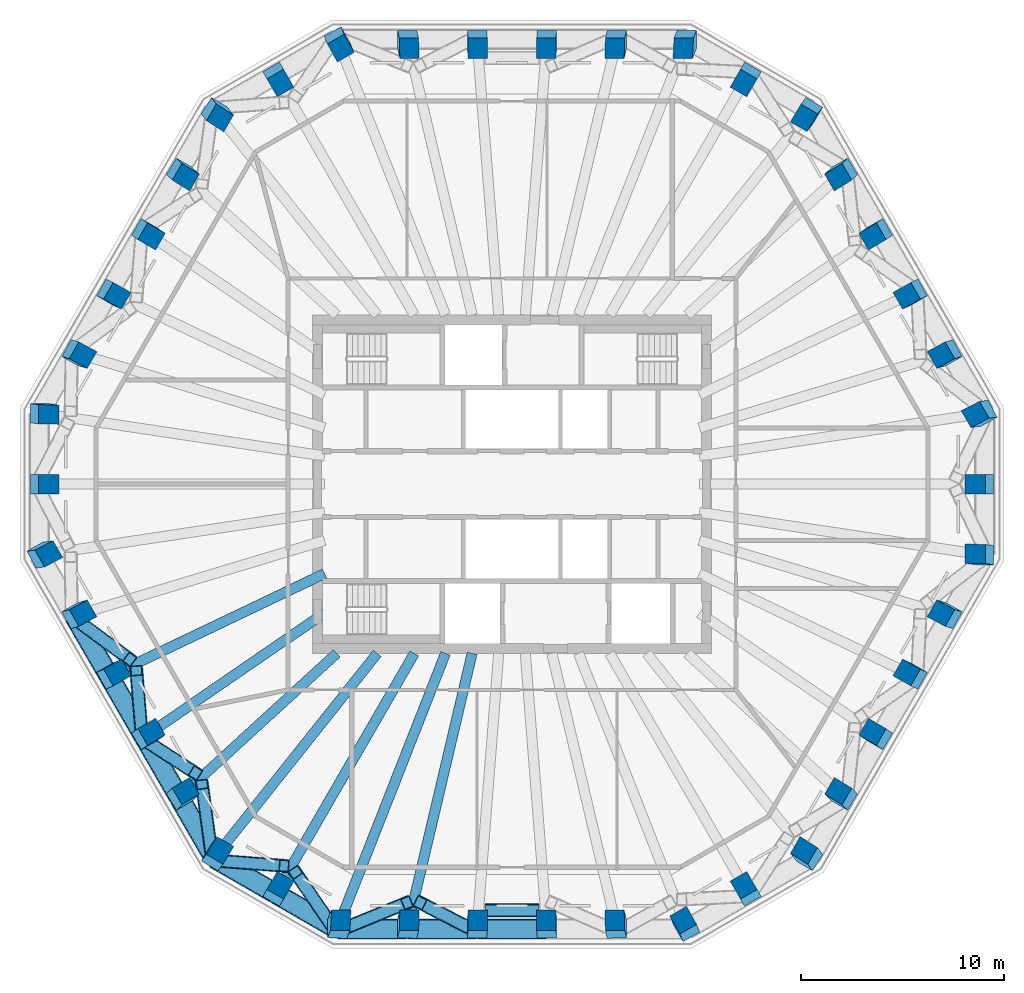
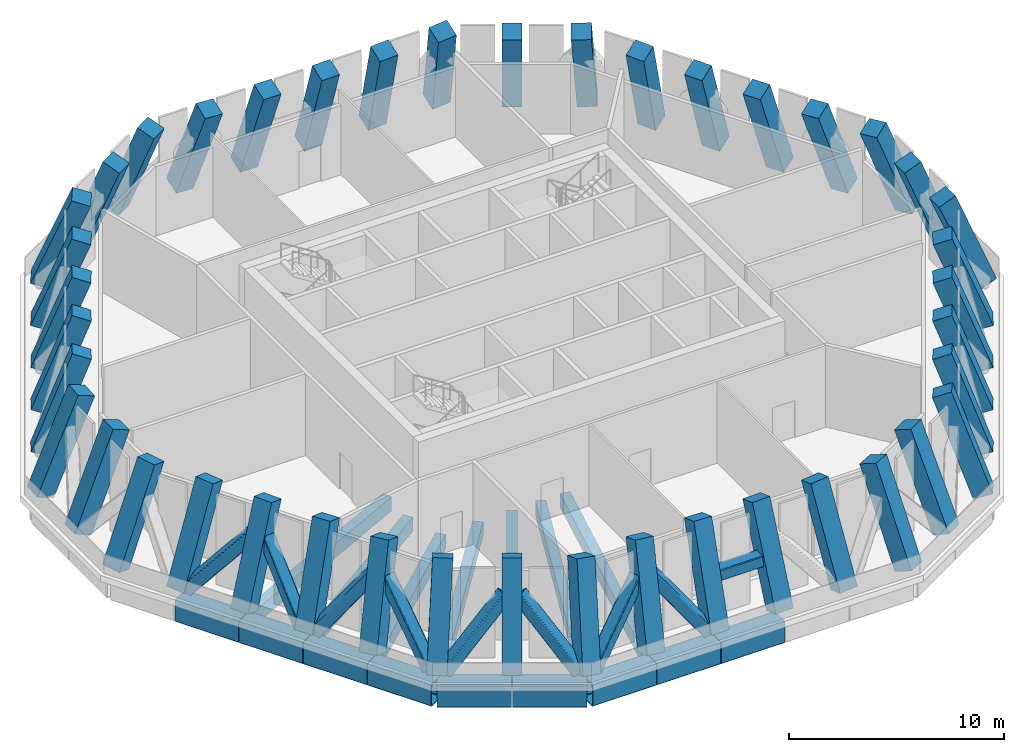
# One storey, part 1 of 9: 42 columns, 16 beams, 9 members.
"""IFC4 building model written with IfcOpenShell, lengths in metres."""

import ifcopenshell
import ifcopenshell.guid

model = None  # the IFC model being written
_history = None  # IfcOwnerHistory: only IFC2X3 demands one
_inside = {}  # id of a spatial element -> (the spatial element, [elements in it])
_under = {}  # id of a project, library or spatial element -> (it, [spatial elements below it])
_declared = {}  # id of a project -> (the project, [libraries it declares])
_typed = {}  # id of a type object -> (the type object, [elements of that type])
_made_of = {}  # id of a material, layer set ... -> (it, [elements and type objects made of it])


def new_model(schema):
    """Start an empty IFC model of exactly this schema.

    Asked for "IFC4X3", IfcOpenShell would pick the latest addendum, in which some entities
    have other attributes; the version numbers below select the first issue.
    IFC2X3 requires an IfcOwnerHistory on every rooted entity: one is made here for all.
    """
    global model, _history
    if schema == "IFC4X3":
        model = ifcopenshell.file(schema_version=(4, 3, 0, 0))
    else:
        model = ifcopenshell.file(schema=schema)
    _inside.clear()
    _under.clear()
    _declared.clear()
    _typed.clear()
    _made_of.clear()
    _history = None
    if model.schema == "IFC2X3":
        org = make("IfcOrganization", Name="unknown")
        user = make(
            "IfcPersonAndOrganization",
            ThePerson=make("IfcPerson", FamilyName="unknown"),
            TheOrganization=org,
        )
        app = make(
            "IfcApplication",
            ApplicationDeveloper=org,
            Version="unknown",
            ApplicationFullName="unknown",
            ApplicationIdentifier="unknown",
        )
        _history = make(
            "IfcOwnerHistory",
            OwningUser=user,
            OwningApplication=app,
            ChangeAction="ADDED",
            CreationDate=0,
        )
    return model


def make(cls, **values):
    """One entity of the class cls with the attributes given. An attribute that is None is left unset."""
    return model.create_entity(
        cls, **{name: value for name, value in values.items() if value is not None}
    )


def rooted(cls, **values):
    """An entity with a GlobalId (a new one), such as an element, a storey or a relation."""
    return make(cls, GlobalId=ifcopenshell.guid.new(), OwnerHistory=_history, **values)


def si_unit(unit_type, name, prefix=None):
    """IfcSIUnit, for example si_unit("LENGTHUNIT", "METRE", prefix="MILLI")."""
    return make("IfcSIUnit", UnitType=unit_type, Prefix=prefix, Name=name)


def assignment(units):
    """IfcUnitAssignment: the units of a project."""
    return None if units is None else make("IfcUnitAssignment", Units=units)


def point(xyz):
    """IfcCartesianPoint."""
    return None if xyz is None else make("IfcCartesianPoint", Coordinates=xyz)


def direction(xyz):
    """IfcDirection."""
    return None if xyz is None else make("IfcDirection", DirectionRatios=xyz)


def frame(location, z_axis=None, x_axis=None):
    """IfcAxis2Placement3D, a coordinate frame: its origin and axes. An axis left out is left unset."""
    return make(
        "IfcAxis2Placement3D",
        Location=point(location),
        Axis=direction(z_axis),
        RefDirection=direction(x_axis),
    )


def frame_2d(location, x_axis=None):
    """IfcAxis2Placement2D, a coordinate frame in the plane: its origin and x axis."""
    return make(
        "IfcAxis2Placement2D", Location=point(location), RefDirection=direction(x_axis)
    )


def origin():
    """The frame at (0, 0, 0) with its axes left unset."""
    return frame((0.0, 0.0, 0.0))


def origin_2d():
    """The frame at (0, 0) in the plane with its x axis left unset."""
    return frame_2d((0.0, 0.0))


def place(relative_to, where):
    """IfcLocalPlacement: puts the frame where relative to a parent placement (None: the world)."""
    return make(
        "IfcLocalPlacement", PlacementRelTo=relative_to, RelativePlacement=where
    )


def context(
    kind, dimensions, precision=None, world=None, true_north=None, identifier=None
):
    """IfcGeometricRepresentationContext, for example the 3D "Model" context."""
    return make(
        "IfcGeometricRepresentationContext",
        ContextIdentifier=identifier,
        ContextType=kind,
        CoordinateSpaceDimension=dimensions,
        Precision=precision,
        WorldCoordinateSystem=world,
        TrueNorth=true_north,
    )


def subcontext(parent, identifier, kind, view, scale=None):
    """IfcGeometricRepresentationSubContext, for example "Body" below "Model"."""
    return make(
        "IfcGeometricRepresentationSubContext",
        ContextIdentifier=identifier,
        ContextType=kind,
        ParentContext=parent,
        TargetScale=scale,
        TargetView=view,
    )


def project(units=None, contexts=None):
    """IfcProject with its units and contexts."""
    return rooted(
        "IfcProject",
        Name="project",
        RepresentationContexts=contexts,
        UnitsInContext=assignment(units),
    )


def spatial(cls, under=None, at=None, **own):
    """A site, building, storey or space (cls), placed at a placement, below another one or the project."""
    s = rooted(cls, ObjectPlacement=at, **own)
    if under is not None:
        _under.setdefault(under.id(), (under, []))[1].append(s)
    return s


def profile(cls, at=None, kind="AREA", **sizes):
    """A parametric profile (cls). Its sizes go by their IFC names, for example OverallWidth=200.0."""
    return make(cls, ProfileType=kind, Position=at, **sizes)


def rectangle(**sizes):
    """IfcRectangleProfileDef."""
    return profile("IfcRectangleProfileDef", **sizes)


def hollow_rectangle(**sizes):
    """IfcRectangleHollowProfileDef."""
    return profile("IfcRectangleHollowProfileDef", **sizes)


def extrude(swept, where, along, depth):
    """IfcExtrudedAreaSolid: the profile swept, set in the frame where, extruded along a direction by depth."""
    return make(
        "IfcExtrudedAreaSolid",
        SweptArea=swept,
        Position=where,
        ExtrudedDirection=direction(along),
        Depth=depth,
    )


def shape(context_of_items, identifier, shape_type, items):
    """IfcShapeRepresentation: the items that make up one representation, for example the "Body"."""
    return make(
        "IfcShapeRepresentation",
        ContextOfItems=context_of_items,
        RepresentationIdentifier=identifier,
        RepresentationType=shape_type,
        Items=items,
    )


def material(Name=None, Category=None):
    """IfcMaterial."""
    return make("IfcMaterial", Name=Name, Category=Category)


def material_profile(
    of_material, cross_section, Name=None, Category=None, Priority=None
):
    """IfcMaterialProfile: a cross section and its material."""
    return make(
        "IfcMaterialProfile",
        Name=Name,
        Material=of_material,
        Profile=cross_section,
        Priority=Priority,
        Category=Category,
    )


def profile_set(profiles, Name=None, composite=None):
    """IfcMaterialProfileSet."""
    return make(
        "IfcMaterialProfileSet",
        Name=Name,
        MaterialProfiles=profiles,
        CompositeProfile=composite,
    )


def made_of(thing, what):
    """Note that an element or type object is made of a material, layer set ...; save() writes the relation."""
    if what is not None:
        _made_of.setdefault(what.id(), (what, []))[1].append(thing)
    return thing


def type_object(cls, material=None, **own):
    """A type object (cls), such as IfcWallType, which elements share."""
    return made_of(rooted(cls, **own), material)


def element(
    cls,
    number,
    at=None,
    inside=None,
    cuts=None,
    type_object=None,
    material=None,
    context=None,
    identifier="Body",
    shape_type=None,
    held_by="IfcProductDefinitionShape",
    body=None,
    shapes=None,
    **own,
):
    """One element of the class cls, such as IfcWall. Its Tag is "e" and its number.

    at: its placement. inside: the storey or other place that contains it. cuts: it is an
    opening in that element (IfcRelVoidsElement). A single representation is given by context,
    identifier, shape_type and body (its items); several are given by shapes. held_by: the class
    of the entity that holds the representations. save() writes the other relations.
    """
    e = rooted(cls, Tag="e%d" % number, ObjectPlacement=at, **own)
    if body is not None:
        shapes = [shape(context, identifier, shape_type, body)]
    if shapes is not None:
        e.Representation = make(held_by, Representations=shapes)
    if inside is not None:
        _inside.setdefault(inside.id(), (inside, []))[1].append(e)
    if cuts is not None:
        rooted(
            "IfcRelVoidsElement", RelatingBuildingElement=cuts, RelatedOpeningElement=e
        )
    if type_object is not None:
        _typed.setdefault(type_object.id(), (type_object, []))[1].append(e)
    return made_of(e, material)


def aggregate(whole, parts):
    """IfcRelAggregates: a whole, such as a stair, and the parts it consists of."""
    return rooted("IfcRelAggregates", RelatingObject=whole, RelatedObjects=parts)


def save(model, path):
    """Write the relations noted so far, then the file.

    IfcRelAggregates (storeys below a building ...), IfcRelContainedInSpatialStructure (elements
    in a storey), IfcRelDefinesByType, IfcRelAssociatesMaterial and IfcRelDeclares: one each for
    every whole, place, type object, material and project.
    """
    for whole, parts in _under.values():
        aggregate(whole, parts)
    for where, things in _inside.values():
        rooted(
            "IfcRelContainedInSpatialStructure",
            RelatedElements=things,
            RelatingStructure=where,
        )
    for kind, things in _typed.values():
        rooted("IfcRelDefinesByType", RelatedObjects=things, RelatingType=kind)
    for what, things in _made_of.values():
        rooted("IfcRelAssociatesMaterial", RelatedObjects=things, RelatingMaterial=what)
    for by, libraries in _declared.values():
        rooted("IfcRelDeclares", RelatingContext=by, RelatedDefinitions=libraries)
    model.write(path)


model = new_model("IFC4")

# Units and contexts
model_context = context("Model", 3, precision=1e-05, world=origin(), true_north=direction((0.0, 1.0)))
body_context = subcontext(model_context, "Body", "Model", "MODEL_VIEW")
ifc_project = project(units=[si_unit("LENGTHUNIT", "METRE"), si_unit("AREAUNIT", "SQUARE_METRE"), si_unit("VOLUMEUNIT", "CUBIC_METRE"), si_unit("PLANEANGLEUNIT", "RADIAN"), si_unit("MASSUNIT", "GRAM", prefix="KILO")], contexts=[model_context])

# Site, building, storey
site_placement = place(None, origin())
site = spatial("IfcSite", under=ifc_project, at=site_placement, CompositionType="ELEMENT")
building_placement = place(site_placement, origin())
building = spatial("IfcBuilding", under=site, at=building_placement, Name="Frailejon Research Tower", CompositionType="ELEMENT")
storey_placement = place(building_placement, frame((0.0, 0.0, 303.0)))
storey = spatial("IfcBuildingStorey", under=building, at=storey_placement, Name="L67", CompositionType="ELEMENT", Elevation=303.0)

# Columns
ifc_material_1 = material(Name="Concrete C50/60", Category="concrete")
ifc_material_profile_1 = material_profile(ifc_material_1, rectangle(XDim=0.949951171875, YDim=0.949951171875, at=origin_2d()), Name="Column 950")
ifc_profile_set_1 = profile_set([ifc_material_profile_1], Name="Concrete C50/60")
column_type = type_object("IfcColumnType", Name="Column 950", PredefinedType="COLUMN", material=ifc_profile_set_1)
column_1_placement = place(storey_placement, frame((23.32373046875, -3.501953125, 0.0), z_axis=(-0.364651825772, 0.049128569612, 0.929846992579), x_axis=(0.017937707181, 0.99879246275, -0.045736801538)))
element("IfcColumn", 1, at=column_1_placement, inside=storey, type_object=column_type, Name="Column C01", PredefinedType="COLUMN", context=body_context, shape_type="SweptSolid", body=[
    extrude(rectangle(XDim=0.949951171875, YDim=0.949951171875, at=origin_2d()), origin(), (0.0, 0.0, 1.0), 5.63525390625),
])
column_2_placement = place(storey_placement, frame((23.32373046875, 0.0, 0.0), z_axis=(-0.365092688793, 0.0, 0.930971174951), x_axis=(0.0, 1.0, 0.0)))
element("IfcColumn", 2, at=column_2_placement, inside=storey, type_object=column_type, Name="Column C02", PredefinedType="COLUMN", context=body_context, shape_type="SweptSolid", body=[
    extrude(rectangle(XDim=0.949951171875, YDim=0.949951171875, at=origin_2d()), origin(), (0.0, 0.0, 1.0), 5.62841796875),
])
column_3_placement = place(storey_placement, frame((23.32373046875, 3.501953125, 0.0), z_axis=(-0.364651825772, -0.049128569612, 0.929846992579), x_axis=(-0.453478926953, 0.881548293683, -0.131261070825)))
element("IfcColumn", 3, at=column_3_placement, inside=storey, type_object=column_type, Name="Column C03", PredefinedType="COLUMN", context=body_context, shape_type="SweptSolid", body=[
    extrude(rectangle(XDim=0.949951171875, YDim=0.949951171875, at=origin_2d()), origin(), (0.0, 0.0, 1.0), 5.63525390625),
])
column_4_placement = place(storey_placement, frame((21.597900390625, 6.4912109375, 0.0), z_axis=(-0.338831549302, -0.098179187986, 0.935710440384), x_axis=(-0.47309306767, 0.877441072232, -0.079247170818)))
element("IfcColumn", 4, at=column_4_placement, inside=storey, type_object=column_type, Name="Column C04", PredefinedType="COLUMN", context=body_context, shape_type="SweptSolid", body=[
    extrude(rectangle(XDim=0.949951171875, YDim=0.949951171875, at=origin_2d()), origin(), (0.0, 0.0, 1.0), 5.60009765625),
])
for number, where, z_axis, x_axis, name in (
    (5, (19.872314453125, 9.48046875, 0.0), (-0.311737642499, -0.14738437924, 0.938667932234), (-0.491391865687, 0.87053510463, -0.026507846807), "Column C05"),
    (6, (18.146240234375, 12.469482421875, 0.0), (-0.283449385638, -0.196240918586, 0.938693745401), (-0.508203467752, 0.860829093725, 0.026504844106), "Column C06"),
):
    element("IfcColumn", number, at=place(storey_placement, frame(where, z_axis=z_axis, x_axis=x_axis)), inside=storey, type_object=column_type, Name=name, PredefinedType="COLUMN", context=body_context, shape_type="SweptSolid", body=[
        extrude(rectangle(XDim=0.949951171875, YDim=0.949951171875, at=origin_2d()), origin(), (0.0, 0.0, 1.0), 5.582275390625),
    ])
column_5_placement = place(storey_placement, frame((16.42041015625, 15.458740234375, 0.0), z_axis=(-0.254428974167, -0.244358190577, 0.935710944577), x_axis=(-0.523376757591, 0.848408223066, 0.079248070307)))
element("IfcColumn", 7, at=column_5_placement, inside=storey, type_object=column_type, Name="Column C07", PredefinedType="COLUMN", context=body_context, shape_type="SweptSolid", body=[
    extrude(rectangle(XDim=0.949951171875, YDim=0.949951171875, at=origin_2d()), origin(), (0.0, 0.0, 1.0), 5.60009765625),
])
column_6_placement = place(storey_placement, frame((14.694580078125, 18.447998046875, 0.0), z_axis=(-0.224847056672, -0.291261418499, 0.929844388702), x_axis=(-0.856061063442, 0.514847202965, -0.045736345046)))
element("IfcColumn", 8, at=column_6_placement, inside=storey, type_object=column_type, Name="Column C08", PredefinedType="COLUMN", context=body_context, shape_type="SweptSolid", body=[
    extrude(rectangle(XDim=0.949951171875, YDim=0.949951171875, at=origin_2d()), origin(), (0.0, 0.0, 1.0), 5.63525390625),
])
column_7_placement = place(storey_placement, frame((11.661865234375, 20.198974609375, 0.0), z_axis=(-0.182523716503, -0.316206723694, 0.930966380061), x_axis=(-0.866067598993, 0.499926908626, 2.548913e-06)))
element("IfcColumn", 9, at=column_7_placement, inside=storey, type_object=column_type, Name="Column C09", PredefinedType="COLUMN", context=body_context, shape_type="SweptSolid", body=[
    extrude(rectangle(XDim=0.949951171875, YDim=0.949951171875, at=origin_2d()), origin(), (0.0, 0.0, 1.0), 5.628662109375),
])
column_8_placement = place(storey_placement, frame((8.629150390625, 21.949951171875, 0.0), z_axis=(-0.139802285246, -0.340386289179, 0.92983466013), x_axis=(-0.990179438478, 0.048083023475, -0.131273388274)))
element("IfcColumn", 10, at=column_8_placement, inside=storey, type_object=column_type, Name="Column C10", PredefinedType="COLUMN", context=body_context, shape_type="SweptSolid", body=[
    extrude(rectangle(XDim=0.949951171875, YDim=0.949951171875, at=origin_2d()), origin(), (0.0, 0.0, 1.0), 5.635498046875),
])
column_9_placement = place(storey_placement, frame((5.177490234375, 21.949951171875, 0.0), z_axis=(-0.084402306611, -0.342535600743, 0.935705943586), x_axis=(-0.996431758684, 0.02898565291, -0.079269049522)))
element("IfcColumn", 11, at=column_9_placement, inside=storey, type_object=column_type, Name="Column C11", PredefinedType="COLUMN", context=body_context, shape_type="SweptSolid", body=[
    extrude(rectangle(XDim=0.949951171875, YDim=0.949951171875, at=origin_2d()), origin(), (0.0, 0.0, 1.0), 5.60009765625),
])
for number, where, z_axis, x_axis, name in (
    (12, (1.725830078125, 21.949951171875, 0.0), (-0.028252736523, -0.343625001329, 0.938681863754), (-0.99960080941, 0.009776667146, -0.02650733118), "Column C12"),
    (13, (-1.725830078125, 21.949951171875, 0.0), (0.028252736523, -0.343625001329, 0.938681863754), (-0.99960080941, -0.009776667146, 0.02650733118), "Column C13"),
):
    element("IfcColumn", number, at=place(storey_placement, frame(where, z_axis=z_axis, x_axis=x_axis)), inside=storey, type_object=column_type, Name=name, PredefinedType="COLUMN", context=body_context, shape_type="SweptSolid", body=[
        extrude(rectangle(XDim=0.949951171875, YDim=0.949951171875, at=origin_2d()), origin(), (0.0, 0.0, 1.0), 5.582275390625),
    ])
column_10_placement = place(storey_placement, frame((-5.177490234375, 21.949951171875, 0.0), z_axis=(0.084402306611, -0.342535600743, 0.935705943586), x_axis=(-0.996431758684, -0.02898565291, 0.079269049522)))
element("IfcColumn", 14, at=column_10_placement, inside=storey, type_object=column_type, Name="Column C14", PredefinedType="COLUMN", context=body_context, shape_type="SweptSolid", body=[
    extrude(rectangle(XDim=0.949951171875, YDim=0.949951171875, at=origin_2d()), origin(), (0.0, 0.0, 1.0), 5.60009765625),
])
column_11_placement = place(storey_placement, frame((-8.629150390625, 21.949951171875, 0.0), z_axis=(0.139802285246, -0.340386289179, 0.92983466013), x_axis=(-0.873934895337, -0.483886046426, -0.045739400807)))
element("IfcColumn", 15, at=column_11_placement, inside=storey, type_object=column_type, Name="Column C15", PredefinedType="COLUMN", context=body_context, shape_type="SweptSolid", body=[
    extrude(rectangle(XDim=0.949951171875, YDim=0.949951171875, at=origin_2d()), origin(), (0.0, 0.0, 1.0), 5.635498046875),
])
column_12_placement = place(storey_placement, frame((-11.661865234375, 20.198974609375, 0.0), z_axis=(0.182523716503, -0.316206723694, 0.930966380061), x_axis=(-0.866067598993, -0.499926908626, -2.548913e-06)))
element("IfcColumn", 16, at=column_12_placement, inside=storey, type_object=column_type, Name="Column C16", PredefinedType="COLUMN", context=body_context, shape_type="SweptSolid", body=[
    extrude(rectangle(XDim=0.949951171875, YDim=0.949951171875, at=origin_2d()), origin(), (0.0, 0.0, 1.0), 5.628662109375),
])
column_13_placement = place(storey_placement, frame((-14.694580078125, 18.447998046875, 0.0), z_axis=(0.224847056672, -0.291261418499, 0.929844388702), x_axis=(-0.536787227973, -0.833444196938, -0.13126401821)))
element("IfcColumn", 17, at=column_13_placement, inside=storey, type_object=column_type, Name="Column C17", PredefinedType="COLUMN", context=body_context, shape_type="SweptSolid", body=[
    extrude(rectangle(XDim=0.949951171875, YDim=0.949951171875, at=origin_2d()), origin(), (0.0, 0.0, 1.0), 5.63525390625),
])
column_14_placement = place(storey_placement, frame((-16.42041015625, 15.458740234375, 0.0), z_axis=(0.254428974167, -0.244358190577, 0.935710944577), x_axis=(-0.523376757591, -0.848408223066, -0.079248070307)))
element("IfcColumn", 18, at=column_14_placement, inside=storey, type_object=column_type, Name="Column C18", PredefinedType="COLUMN", context=body_context, shape_type="SweptSolid", body=[
    extrude(rectangle(XDim=0.949951171875, YDim=0.949951171875, at=origin_2d()), origin(), (0.0, 0.0, 1.0), 5.60009765625),
])
for number, where, z_axis, x_axis, name in (
    (19, (-18.146240234375, 12.469482421875, 0.0), (0.283449385638, -0.196240918586, 0.938693745401), (-0.508203467752, -0.860829093725, -0.026504844106), "Column C19"),
    (20, (-19.872314453125, 9.48046875, 0.0), (0.311737642499, -0.14738437924, 0.938667932234), (-0.491391865687, -0.87053510463, 0.026507846807), "Column C20"),
):
    element("IfcColumn", number, at=place(storey_placement, frame(where, z_axis=z_axis, x_axis=x_axis)), inside=storey, type_object=column_type, Name=name, PredefinedType="COLUMN", context=body_context, shape_type="SweptSolid", body=[
        extrude(rectangle(XDim=0.949951171875, YDim=0.949951171875, at=origin_2d()), origin(), (0.0, 0.0, 1.0), 5.582275390625),
    ])
column_15_placement = place(storey_placement, frame((-21.597900390625, 6.4912109375, 0.0), z_axis=(0.338831549302, -0.098179187986, 0.935710440384), x_axis=(-0.47309306767, -0.877441072232, 0.079247170818)))
element("IfcColumn", 21, at=column_15_placement, inside=storey, type_object=column_type, Name="Column C21", PredefinedType="COLUMN", context=body_context, shape_type="SweptSolid", body=[
    extrude(rectangle(XDim=0.949951171875, YDim=0.949951171875, at=origin_2d()), origin(), (0.0, 0.0, 1.0), 5.60009765625),
])
column_16_placement = place(storey_placement, frame((-23.32373046875, 3.501953125, 0.0), z_axis=(0.364651825772, -0.049128569612, 0.929846992579), x_axis=(-0.017937707181, -0.99879246275, -0.045736801538)))
element("IfcColumn", 22, at=column_16_placement, inside=storey, type_object=column_type, Name="Column C22", PredefinedType="COLUMN", context=body_context, shape_type="SweptSolid", body=[
    extrude(rectangle(XDim=0.949951171875, YDim=0.949951171875, at=origin_2d()), origin(), (0.0, 0.0, 1.0), 5.63525390625),
])
column_17_placement = place(storey_placement, frame((-23.32373046875, 0.0, 0.0), z_axis=(0.365092688793, 0.0, 0.930971174951), x_axis=(0.0, -1.0, 0.0)))
element("IfcColumn", 23, at=column_17_placement, inside=storey, type_object=column_type, Name="Column C23", PredefinedType="COLUMN", context=body_context, shape_type="SweptSolid", body=[
    extrude(rectangle(XDim=0.949951171875, YDim=0.949951171875, at=origin_2d()), origin(), (0.0, 0.0, 1.0), 5.62841796875),
])
column_18_placement = place(storey_placement, frame((-23.32373046875, -3.501953125, 0.0), z_axis=(0.364651825772, 0.049128569612, 0.929846992579), x_axis=(0.453478926953, -0.881548293683, -0.131261070825)))
element("IfcColumn", 24, at=column_18_placement, inside=storey, type_object=column_type, Name="Column C24", PredefinedType="COLUMN", context=body_context, shape_type="SweptSolid", body=[
    extrude(rectangle(XDim=0.949951171875, YDim=0.949951171875, at=origin_2d()), origin(), (0.0, 0.0, 1.0), 5.63525390625),
])
column_19_placement = place(storey_placement, frame((-21.597900390625, -6.4912109375, 0.0), z_axis=(0.338831549302, 0.098179187986, 0.935710440384), x_axis=(0.47309306767, -0.877441072232, -0.079247170818)))
element("IfcColumn", 25, at=column_19_placement, inside=storey, type_object=column_type, Name="Column C25", PredefinedType="COLUMN", context=body_context, shape_type="SweptSolid", body=[
    extrude(rectangle(XDim=0.949951171875, YDim=0.949951171875, at=origin_2d()), origin(), (0.0, 0.0, 1.0), 5.60009765625),
])
for number, where, z_axis, x_axis, name in (
    (26, (-19.872314453125, -9.48046875, 0.0), (0.311737642499, 0.14738437924, 0.938667932234), (0.491391865687, -0.87053510463, -0.026507846807), "Column C26"),
    (27, (-18.146240234375, -12.469482421875, 0.0), (0.283449385638, 0.196240918586, 0.938693745401), (0.508203467752, -0.860829093725, 0.026504844106), "Column C27"),
):
    element("IfcColumn", number, at=place(storey_placement, frame(where, z_axis=z_axis, x_axis=x_axis)), inside=storey, type_object=column_type, Name=name, PredefinedType="COLUMN", context=body_context, shape_type="SweptSolid", body=[
        extrude(rectangle(XDim=0.949951171875, YDim=0.949951171875, at=origin_2d()), origin(), (0.0, 0.0, 1.0), 5.582275390625),
    ])
column_20_placement = place(storey_placement, frame((-16.42041015625, -15.458740234375, 0.0), z_axis=(0.254428974167, 0.244358190577, 0.935710944577), x_axis=(0.523376757591, -0.848408223066, 0.079248070307)))
element("IfcColumn", 28, at=column_20_placement, inside=storey, type_object=column_type, Name="Column C28", PredefinedType="COLUMN", context=body_context, shape_type="SweptSolid", body=[
    extrude(rectangle(XDim=0.949951171875, YDim=0.949951171875, at=origin_2d()), origin(), (0.0, 0.0, 1.0), 5.60009765625),
])
column_21_placement = place(storey_placement, frame((-14.694580078125, -18.447998046875, 0.0), z_axis=(0.224847056672, 0.291261418499, 0.929844388702), x_axis=(0.856061063442, -0.514847202965, -0.045736345046)))
element("IfcColumn", 29, at=column_21_placement, inside=storey, type_object=column_type, Name="Column C29", PredefinedType="COLUMN", context=body_context, shape_type="SweptSolid", body=[
    extrude(rectangle(XDim=0.949951171875, YDim=0.949951171875, at=origin_2d()), origin(), (0.0, 0.0, 1.0), 5.63525390625),
])
column_22_placement = place(storey_placement, frame((-11.661865234375, -20.198974609375, 0.0), z_axis=(0.182523716503, 0.316206723694, 0.930966380061), x_axis=(0.866067598993, -0.499926908626, 2.548913e-06)))
element("IfcColumn", 30, at=column_22_placement, inside=storey, type_object=column_type, Name="Column C30", PredefinedType="COLUMN", context=body_context, shape_type="SweptSolid", body=[
    extrude(rectangle(XDim=0.949951171875, YDim=0.949951171875, at=origin_2d()), origin(), (0.0, 0.0, 1.0), 5.628662109375),
])
column_23_placement = place(storey_placement, frame((-8.629150390625, -21.949951171875, 0.0), z_axis=(0.139802285246, 0.340386289179, 0.92983466013), x_axis=(0.990179438478, -0.048083023475, -0.131273388274)))
element("IfcColumn", 31, at=column_23_placement, inside=storey, type_object=column_type, Name="Column C31", PredefinedType="COLUMN", context=body_context, shape_type="SweptSolid", body=[
    extrude(rectangle(XDim=0.949951171875, YDim=0.949951171875, at=origin_2d()), origin(), (0.0, 0.0, 1.0), 5.635498046875),
])
column_24_placement = place(storey_placement, frame((-5.177490234375, -21.949951171875, 0.0), z_axis=(0.084402306611, 0.342535600743, 0.935705943586), x_axis=(0.996431758684, -0.02898565291, -0.079269049522)))
element("IfcColumn", 32, at=column_24_placement, inside=storey, type_object=column_type, Name="Column C32", PredefinedType="COLUMN", context=body_context, shape_type="SweptSolid", body=[
    extrude(rectangle(XDim=0.949951171875, YDim=0.949951171875, at=origin_2d()), origin(), (0.0, 0.0, 1.0), 5.60009765625),
])
for number, where, z_axis, x_axis, name in (
    (33, (-1.725830078125, -21.949951171875, 0.0), (0.028252736523, 0.343625001329, 0.938681863754), (0.99960080941, -0.009776667146, -0.02650733118), "Column C33"),
    (34, (1.725830078125, -21.949951171875, 0.0), (-0.028252736523, 0.343625001329, 0.938681863754), (0.99960080941, 0.009776667146, 0.02650733118), "Column C34"),
):
    element("IfcColumn", number, at=place(storey_placement, frame(where, z_axis=z_axis, x_axis=x_axis)), inside=storey, type_object=column_type, Name=name, PredefinedType="COLUMN", context=body_context, shape_type="SweptSolid", body=[
        extrude(rectangle(XDim=0.949951171875, YDim=0.949951171875, at=origin_2d()), origin(), (0.0, 0.0, 1.0), 5.582275390625),
    ])
column_25_placement = place(storey_placement, frame((5.177490234375, -21.949951171875, 0.0), z_axis=(-0.084402306611, 0.342535600743, 0.935705943586), x_axis=(0.996431758684, 0.02898565291, 0.079269049522)))
element("IfcColumn", 35, at=column_25_placement, inside=storey, type_object=column_type, Name="Column C35", PredefinedType="COLUMN", context=body_context, shape_type="SweptSolid", body=[
    extrude(rectangle(XDim=0.949951171875, YDim=0.949951171875, at=origin_2d()), origin(), (0.0, 0.0, 1.0), 5.60009765625),
])
column_26_placement = place(storey_placement, frame((8.629150390625, -21.949951171875, 0.0), z_axis=(-0.139802285246, 0.340386289179, 0.92983466013), x_axis=(0.873934895337, 0.483886046426, -0.045739400807)))
element("IfcColumn", 36, at=column_26_placement, inside=storey, type_object=column_type, Name="Column C36", PredefinedType="COLUMN", context=body_context, shape_type="SweptSolid", body=[
    extrude(rectangle(XDim=0.949951171875, YDim=0.949951171875, at=origin_2d()), origin(), (0.0, 0.0, 1.0), 5.635498046875),
])
column_27_placement = place(storey_placement, frame((11.661865234375, -20.198974609375, 0.0), z_axis=(-0.182523716503, 0.316206723694, 0.930966380061), x_axis=(0.866067598993, 0.499926908626, -2.548913e-06)))
element("IfcColumn", 37, at=column_27_placement, inside=storey, type_object=column_type, Name="Column C37", PredefinedType="COLUMN", context=body_context, shape_type="SweptSolid", body=[
    extrude(rectangle(XDim=0.949951171875, YDim=0.949951171875, at=origin_2d()), origin(), (0.0, 0.0, 1.0), 5.628662109375),
])
column_28_placement = place(storey_placement, frame((14.694580078125, -18.447998046875, 0.0), z_axis=(-0.224847056672, 0.291261418499, 0.929844388702), x_axis=(0.536787227973, 0.833444196938, -0.13126401821)))
element("IfcColumn", 38, at=column_28_placement, inside=storey, type_object=column_type, Name="Column C38", PredefinedType="COLUMN", context=body_context, shape_type="SweptSolid", body=[
    extrude(rectangle(XDim=0.949951171875, YDim=0.949951171875, at=origin_2d()), origin(), (0.0, 0.0, 1.0), 5.63525390625),
])
column_29_placement = place(storey_placement, frame((16.42041015625, -15.458740234375, 0.0), z_axis=(-0.254428974167, 0.244358190577, 0.935710944577), x_axis=(0.523376757591, 0.848408223066, -0.079248070307)))
element("IfcColumn", 39, at=column_29_placement, inside=storey, type_object=column_type, Name="Column C39", PredefinedType="COLUMN", context=body_context, shape_type="SweptSolid", body=[
    extrude(rectangle(XDim=0.949951171875, YDim=0.949951171875, at=origin_2d()), origin(), (0.0, 0.0, 1.0), 5.60009765625),
])
for number, where, z_axis, x_axis, name in (
    (40, (18.146240234375, -12.469482421875, 0.0), (-0.283449385638, 0.196240918586, 0.938693745401), (0.508203467752, 0.860829093725, -0.026504844106), "Column C40"),
    (41, (19.872314453125, -9.48046875, 0.0), (-0.311737642499, 0.14738437924, 0.938667932234), (0.491391865687, 0.87053510463, 0.026507846807), "Column C41"),
):
    element("IfcColumn", number, at=place(storey_placement, frame(where, z_axis=z_axis, x_axis=x_axis)), inside=storey, type_object=column_type, Name=name, PredefinedType="COLUMN", context=body_context, shape_type="SweptSolid", body=[
        extrude(rectangle(XDim=0.949951171875, YDim=0.949951171875, at=origin_2d()), origin(), (0.0, 0.0, 1.0), 5.582275390625),
    ])
column_30_placement = place(storey_placement, frame((21.597900390625, -6.4912109375, 0.0), z_axis=(-0.338831549302, 0.098179187986, 0.935710440384), x_axis=(0.47309306767, 0.877441072232, 0.079247170818)))
element("IfcColumn", 42, at=column_30_placement, inside=storey, type_object=column_type, Name="Column C42", PredefinedType="COLUMN", context=body_context, shape_type="SweptSolid", body=[
    extrude(rectangle(XDim=0.949951171875, YDim=0.949951171875, at=origin_2d()), origin(), (0.0, 0.0, 1.0), 5.60009765625),
])

# Beams
ifc_material_2 = material(Name="Steel S355", Category="steel")
ifc_material_profile_2 = material_profile(ifc_material_2, hollow_rectangle(XDim=1.0, YDim=1.300048828125, WallThickness=0.06005859375, InnerFilletRadius=0.06005859375, OuterFilletRadius=0.1201171875, at=origin_2d()), Name="Belt chord")
ifc_profile_set_2 = profile_set([ifc_material_profile_2], Name="Steel S355")
beam_type_1 = type_object("IfcBeamType", Name="Belt chord", PredefinedType="BEAM", material=ifc_profile_set_2)
beam_1_placement = place(storey_placement, frame((-21.587890625, -6.508544921875, -1.0), z_axis=(0.499995010897, -0.866028284225, 0.0), x_axis=(0.866028284225, 0.499995010897, 0.0)))
element("IfcBeam", 43, at=beam_1_placement, inside=storey, type_object=beam_type_1, Name="Belt chord", PredefinedType="BEAM", context=body_context, shape_type="SweptSolid", body=[
    extrude(hollow_rectangle(XDim=1.0, YDim=1.300048828125, WallThickness=0.06005859375, InnerFilletRadius=0.06005859375, OuterFilletRadius=0.1201171875, at=origin_2d()), origin(), (0.0, 0.0, 1.0), 3.41162109375),
])
beam_2_placement = place(storey_placement, frame((-19.8623046875, -9.497802734375, -1.0), z_axis=(0.500048678942, -0.86599729716, 0.0), x_axis=(0.86599729716, 0.500048678942, 0.0)))
element("IfcBeam", 44, at=beam_2_placement, inside=storey, type_object=beam_type_1, Name="Belt chord", PredefinedType="BEAM", context=body_context, shape_type="SweptSolid", body=[
    extrude(hollow_rectangle(XDim=1.0, YDim=1.300048828125, WallThickness=0.06005859375, InnerFilletRadius=0.06005859375, OuterFilletRadius=0.1201171875, at=origin_2d()), origin(), (0.0, 0.0, 1.0), 3.411865234375),
])
for number, where, z_axis, x_axis, name in (
    (45, (-18.13623046875, -12.48681640625, -1.0), (0.499995010897, -0.866028284225, 0.0), (0.866028284225, 0.499995010897, 0.0), "Belt chord"),
    (46, (-16.410400390625, -15.47607421875, -1.0), (0.499995010897, -0.866028284225, 0.0), (0.866028284225, 0.499995010897, 0.0), "Belt chord"),
):
    element("IfcBeam", number, at=place(storey_placement, frame(where, z_axis=z_axis, x_axis=x_axis)), inside=storey, type_object=beam_type_1, Name=name, PredefinedType="BEAM", context=body_context, shape_type="SweptSolid", body=[
        extrude(hollow_rectangle(XDim=1.0, YDim=1.300048828125, WallThickness=0.06005859375, InnerFilletRadius=0.06005859375, OuterFilletRadius=0.1201171875, at=origin_2d()), origin(), (0.0, 0.0, 1.0), 3.41162109375),
    ])
beam_3_placement = place(storey_placement, frame((-14.677490234375, -18.4580078125, -1.0), z_axis=(0.866038798027, -0.499976799773, 0.0), x_axis=(0.499976799773, 0.866038798027, 0.0)))
element("IfcBeam", 47, at=beam_3_placement, inside=storey, type_object=beam_type_1, Name="Belt chord", PredefinedType="BEAM", context=body_context, shape_type="SweptSolid", body=[
    extrude(hollow_rectangle(XDim=1.0, YDim=1.300048828125, WallThickness=0.06005859375, InnerFilletRadius=0.06005859375, OuterFilletRadius=0.1201171875, at=origin_2d()), origin(), (0.0, 0.0, 1.0), 3.462158203125),
])
beam_4_placement = place(storey_placement, frame((-11.64453125, -20.208984375, -1.0), z_axis=(0.866021168401, -0.500007335828, 0.0), x_axis=(0.500007335828, 0.866021168401, 0.0)))
element("IfcBeam", 48, at=beam_4_placement, inside=storey, type_object=beam_type_1, Name="Belt chord", PredefinedType="BEAM", context=body_context, shape_type="SweptSolid", body=[
    extrude(hollow_rectangle(XDim=1.0, YDim=1.300048828125, WallThickness=0.06005859375, InnerFilletRadius=0.06005859375, OuterFilletRadius=0.1201171875, at=origin_2d()), origin(), (0.0, 0.0, 1.0), 3.4619140625),
])
for number, where, z_axis, x_axis, name in (
    (49, (-8.609130859375, -21.949951171875, -1.0), (1.0, 0.0, 0.0), (0.0, 1.0, 0.0), "Belt chord"),
    (50, (-5.157470703125, -21.949951171875, -1.0), (1.0, 0.0, 0.0), (0.0, 1.0, 0.0), "Belt chord"),
    (51, (-1.705810546875, -21.949951171875, -1.0), (1.0, 0.0, 0.0), (0.0, 1.0, 0.0), "Belt chord"),
):
    element("IfcBeam", number, at=place(storey_placement, frame(where, z_axis=z_axis, x_axis=x_axis)), inside=storey, type_object=beam_type_1, Name=name, PredefinedType="BEAM", context=body_context, shape_type="SweptSolid", body=[
        extrude(hollow_rectangle(XDim=1.0, YDim=1.300048828125, WallThickness=0.06005859375, InnerFilletRadius=0.06005859375, OuterFilletRadius=0.1201171875, at=origin_2d()), origin(), (0.0, 0.0, 1.0), 3.41162109375),
    ])

# Members
ifc_material_3 = material(Name="Steel S355", Category="steel")
ifc_material_profile_3 = material_profile(ifc_material_3, hollow_rectangle(XDim=0.64990234375, YDim=0.64990234375, WallThickness=0.044921875, InnerFilletRadius=0.044921875, OuterFilletRadius=0.090087890625, at=origin_2d()), Name="Belt diagonal 5600")
ifc_profile_set_3 = profile_set([ifc_material_profile_3], Name="Steel S355")
member_type = type_object("IfcMemberType", Name="Belt diagonal 5600", PredefinedType="BRACE", material=ifc_profile_set_3)
member_1_placement = place(storey_placement, frame((-21.40478515625, -6.763916015625, 0.084716796875), z_axis=(0.54310846785, -0.400319387101, 0.738090496118), x_axis=(0.593327942507, 0.804960839197, 0.0)))
element("IfcMember", 52, at=member_1_placement, inside=storey, type_object=member_type, Name="Belt truss diagonal", PredefinedType="BRACE", context=body_context, shape_type="SweptSolid", body=[
    extrude(hollow_rectangle(XDim=0.64990234375, YDim=0.64990234375, WallThickness=0.044921875, InnerFilletRadius=0.044921875, OuterFilletRadius=0.090087890625, at=origin_2d()), origin(), (0.0, 0.0, 1.0), 4.691650390625),
])
member_2_placement = place(storey_placement, frame((-18.531494140625, -9.204833984375, 3.547607421875), z_axis=(0.054378825986, -0.649498131029, -0.758416192518), x_axis=(0.996513433753, 0.083432465804, 0.0)))
element("IfcMember", 53, at=member_2_placement, inside=storey, type_object=member_type, Name="Belt truss diagonal", PredefinedType="BRACE", context=body_context, shape_type="SweptSolid", body=[
    extrude(hollow_rectangle(XDim=0.64990234375, YDim=0.64990234375, WallThickness=0.044921875, InnerFilletRadius=0.044921875, OuterFilletRadius=0.090087890625, at=origin_2d()), origin(), (0.0, 0.0, 1.0), 4.56591796875),
])
member_3_placement = place(storey_placement, frame((-17.958251953125, -12.7333984375, 0.084716796875), z_axis=(0.526245935899, -0.341313098659, 0.778826414314), x_axis=(0.54415113745, 0.838987210637, 0.0)))
element("IfcMember", 54, at=member_3_placement, inside=storey, type_object=member_type, Name="Belt truss diagonal", PredefinedType="BRACE", context=body_context, shape_type="SweptSolid", body=[
    extrude(hollow_rectangle(XDim=0.64990234375, YDim=0.64990234375, WallThickness=0.044921875, InnerFilletRadius=0.044921875, OuterFilletRadius=0.090087890625, at=origin_2d()), origin(), (0.0, 0.0, 1.0), 4.4462890625),
])
member_4_placement = place(storey_placement, frame((-15.293212890625, -14.813720703125, 3.547607421875), z_axis=(0.094655201188, -0.689616289294, -0.717962231896), x_axis=(0.990711195429, 0.13598281969, 0.0)))
element("IfcMember", 55, at=member_4_placement, inside=storey, type_object=member_type, Name="Belt truss diagonal", PredefinedType="BRACE", context=body_context, shape_type="SweptSolid", body=[
    extrude(hollow_rectangle(XDim=0.64990234375, YDim=0.64990234375, WallThickness=0.044921875, InnerFilletRadius=0.044921875, OuterFilletRadius=0.090087890625, at=origin_2d()), origin(), (0.0, 0.0, 1.0), 4.8232421875),
])
for number, where, z_axis, x_axis, name in (
    (56, (-14.395263671875, -18.587158203125, 0.074462890625), (0.670189586558, -0.051601012596, 0.740393985367), (0.076767440701, 0.9970490259, 0.0), "Belt truss diagonal"),
    (57, (-10.68359375, -19.15478515625, 3.552978515625), (0.379754260632, -0.55456177743, -0.740437665537), (0.825087220492, 0.56500537925, 0.0), "Belt truss diagonal"),
):
    element("IfcMember", number, at=place(storey_placement, frame(where, z_axis=z_axis, x_axis=x_axis)), inside=storey, type_object=member_type, Name=name, PredefinedType="BRACE", context=body_context, shape_type="SweptSolid", body=[
        extrude(hollow_rectangle(XDim=0.64990234375, YDim=0.64990234375, WallThickness=0.044921875, InnerFilletRadius=0.044921875, OuterFilletRadius=0.090087890625, at=origin_2d()), origin(), (0.0, 0.0, 1.0), 4.6982421875),
    ])
member_5_placement = place(storey_placement, frame((-8.29150390625, -21.9189453125, 0.084716796875), z_axis=(0.644565377867, 0.262806929628, 0.717960995733), x_axis=(-0.377550957756, 0.925988808948, 0.0)))
element("IfcMember", 58, at=member_5_placement, inside=storey, type_object=member_type, Name="Belt truss diagonal", PredefinedType="BRACE", context=body_context, shape_type="SweptSolid", body=[
    extrude(hollow_rectangle(XDim=0.64990234375, YDim=0.64990234375, WallThickness=0.044921875, InnerFilletRadius=0.044921875, OuterFilletRadius=0.090087890625, at=origin_2d()), origin(), (0.0, 0.0, 1.0), 4.8232421875),
])
member_6_placement = place(storey_placement, frame((-4.532470703125, -20.6513671875, 3.547607421875), z_axis=(0.558700593263, -0.285088302724, -0.778831372466), x_axis=(0.454517120678, 0.890738001328, 0.0)))
element("IfcMember", 59, at=member_6_placement, inside=storey, type_object=member_type, Name="Belt truss diagonal", PredefinedType="BRACE", context=body_context, shape_type="SweptSolid", body=[
    extrude(hollow_rectangle(XDim=0.64990234375, YDim=0.64990234375, WallThickness=0.044921875, InnerFilletRadius=0.044921875, OuterFilletRadius=0.090087890625, at=origin_2d()), origin(), (0.0, 0.0, 1.0), 4.4462890625),
])
member_7_placement = place(storey_placement, frame((-1.324951171875, -21.025634765625, 2.52490234375), z_axis=(1.0, 0.0, 0.0), x_axis=(0.0, 1.0, 0.0)))
element("IfcMember", 60, at=member_7_placement, inside=storey, type_object=member_type, Name="Belt truss door-head strut", PredefinedType="BRACE", context=body_context, shape_type="SweptSolid", body=[
    extrude(hollow_rectangle(XDim=0.64990234375, YDim=0.64990234375, WallThickness=0.044921875, InnerFilletRadius=0.044921875, OuterFilletRadius=0.090087890625, at=origin_2d()), origin(), (0.0, 0.0, 1.0), 2.64990234375),
])

# Beams
ifc_material_4 = material(Name="Concrete C60/75", Category="concrete")
ifc_material_profile_4 = material_profile(ifc_material_4, rectangle(XDim=0.5, YDim=0.800048828125, at=origin_2d()), Name="Girder 500x800")
ifc_profile_set_4 = profile_set([ifc_material_profile_4], Name="Concrete C60/75")
beam_type_2 = type_object("IfcBeamType", Name="Girder 500x800", PredefinedType="BEAM", material=ifc_profile_set_4)
beam_5_placement = place(storey_placement, frame((-19.577392578125, -9.33984375, -0.699951171875), z_axis=(0.90254832105, 0.430588583417, 0.0), x_axis=(-0.430588583417, 0.90254832105, 0.0)))
element("IfcBeam", 61, at=beam_5_placement, inside=storey, type_object=beam_type_2, Name="Girder 500x800", PredefinedType="BEAM", context=body_context, shape_type="SweptSolid", body=[
    extrude(rectangle(XDim=0.5, YDim=0.800048828125, at=origin_2d()), origin(), (0.0, 0.0, 1.0), 11.4423828125),
])
beam_6_placement = place(storey_placement, frame((-17.877197265625, -12.28466796875, -0.699951171875), z_axis=(0.82416371662, 0.566351629473, 0.0), x_axis=(-0.566351629473, 0.82416371662, 0.0)))
element("IfcBeam", 62, at=beam_6_placement, inside=storey, type_object=beam_type_2, Name="Girder 500x800", PredefinedType="BEAM", context=body_context, shape_type="SweptSolid", body=[
    extrude(rectangle(XDim=0.5, YDim=0.800048828125, at=origin_2d()), origin(), (0.0, 0.0, 1.0), 10.4677734375),
])
beam_7_placement = place(storey_placement, frame((-16.17236328125, -15.231689453125, -0.699951171875), z_axis=(0.737837636793, 0.674978237969, 0.0), x_axis=(-0.674978237969, 0.737837636793, 0.0)))
element("IfcBeam", 63, at=beam_7_placement, inside=storey, type_object=beam_type_2, Name="Girder 500x800", PredefinedType="BEAM", context=body_context, shape_type="SweptSolid", body=[
    extrude(rectangle(XDim=0.5, YDim=0.800048828125, at=origin_2d()), origin(), (0.0, 0.0, 1.0), 10.1953125),
])
beam_8_placement = place(storey_placement, frame((-14.489013671875, -18.189697265625, -0.699951171875), z_axis=(0.623055876427, 0.782177329542, 0.0), x_axis=(-0.782177329542, 0.623055876427, 0.0)))
element("IfcBeam", 64, at=beam_8_placement, inside=storey, type_object=beam_type_2, Name="Girder 500x800", PredefinedType="BEAM", context=body_context, shape_type="SweptSolid", body=[
    extrude(rectangle(XDim=0.5, YDim=0.800048828125, at=origin_2d()), origin(), (0.0, 0.0, 1.0), 12.579833984375),
])
beam_9_placement = place(storey_placement, frame((-11.49951171875, -19.91748046875, -0.699951171875), z_axis=(0.500015685897, 0.866016347338, 0.0), x_axis=(-0.866016347338, 0.500015685897, 0.0)))
element("IfcBeam", 65, at=beam_9_placement, inside=storey, type_object=beam_type_2, Name="Girder 500x800", PredefinedType="BEAM", context=body_context, shape_type="SweptSolid", body=[
    extrude(rectangle(XDim=0.5, YDim=0.800048828125, at=origin_2d()), origin(), (0.0, 0.0, 1.0), 13.35693359375),
])
beam_10_placement = place(storey_placement, frame((-8.497314453125, -21.614501953125, -0.699951171875), z_axis=(0.36587018222, 0.930665895884, 0.0), x_axis=(-0.930665895884, 0.36587018222, 0.0)))
element("IfcBeam", 66, at=beam_10_placement, inside=storey, type_object=beam_type_2, Name="Girder 500x800", PredefinedType="BEAM", context=body_context, shape_type="SweptSolid", body=[
    extrude(rectangle(XDim=0.5, YDim=0.800048828125, at=origin_2d()), origin(), (0.0, 0.0, 1.0), 14.252685546875),
])
beam_11_placement = place(storey_placement, frame((-5.099853515625, -21.62109375, -0.699951171875), z_axis=(0.229580210899, 0.973289744507, 0.0), x_axis=(-0.973289744507, 0.229580210899, 0.0)))
element("IfcBeam", 67, at=beam_11_placement, inside=storey, type_object=beam_type_2, Name="Girder 500x800", PredefinedType="BEAM", context=body_context, shape_type="SweptSolid", body=[
    extrude(rectangle(XDim=0.5, YDim=0.800048828125, at=origin_2d()), origin(), (0.0, 0.0, 1.0), 13.63525390625),
])

save(model, "model.ifc")
